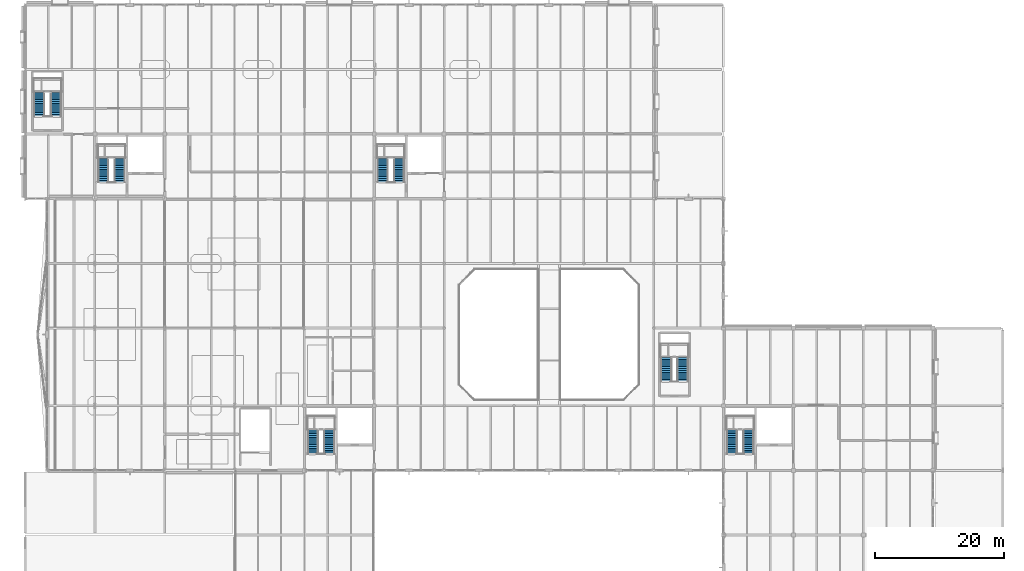
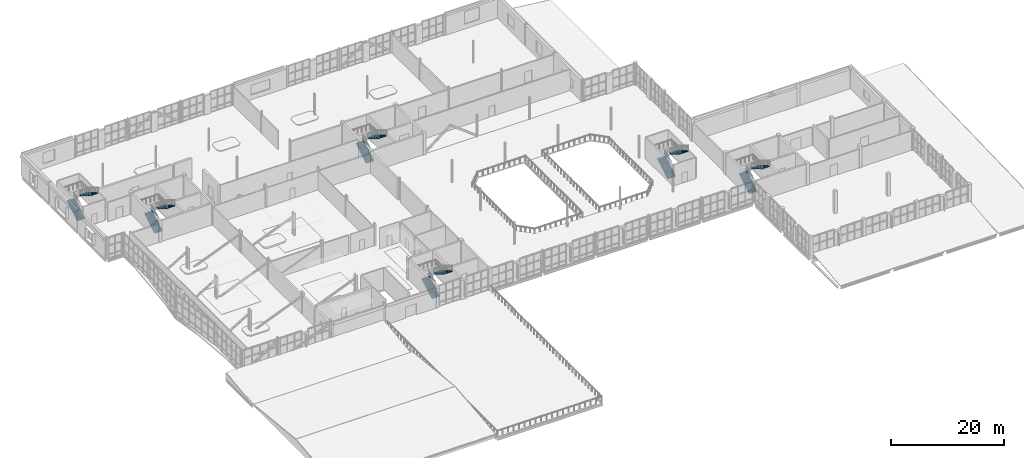
# One storey, part 90 of 100: 12 stair flights, 6 elements without a shape of their own.
"""IFC4 building model written with IfcOpenShell, lengths in metres."""

from ifc_helpers import new_model, si_unit, direction, frame, origin, place, context, subcontext, project, spatial, polyline, outline, extrude, material, type_object, element, aggregate, save


model = new_model("IFC4")

# Units and contexts
model_context = context("Model", 3, precision=1e-05, world=origin(), true_north=direction((0.0, 1.0)))
body_context = subcontext(model_context, "Body", "Model", "MODEL_VIEW")
ifc_project = project(units=[si_unit("LENGTHUNIT", "METRE"), si_unit("AREAUNIT", "SQUARE_METRE"), si_unit("VOLUMEUNIT", "CUBIC_METRE"), si_unit("PLANEANGLEUNIT", "RADIAN"), si_unit("MASSUNIT", "GRAM", prefix="KILO")], contexts=[model_context])

# Site, building, storey
site_placement = place(None, origin())
site = spatial("IfcSite", under=ifc_project, at=site_placement, CompositionType="ELEMENT")
building_placement = place(site_placement, origin())
building = spatial("IfcBuilding", under=site, at=building_placement, Name="Tasgan Crest Museum", CompositionType="ELEMENT")
storey_placement = place(building_placement, frame((0.0, 0.0, 9.60009765625)))
storey = spatial("IfcBuildingStorey", under=building, at=storey_placement, Name="L02", CompositionType="ELEMENT", Elevation=9.60009765625)

# Stair, stair flights
ifc_material_1 = material(Name="Concrete C35/45", Category="concrete")
stair_type_1 = type_object("IfcStairType", Name="ST-CORE-48", PredefinedType="HALF_TURN_STAIR", material=ifc_material_1)
stair_1_placement = place(storey_placement, origin())
stair_1 = element("IfcStair", 1, at=stair_1_placement, inside=storey, type_object=stair_type_1, Name="Stair ST-NW-L02 L02", PredefinedType="HALF_TURN_STAIR")
ifc_material_2 = material(Name="Concrete C35/45", Category="concrete")
stair_flight_type_1 = type_object("IfcStairFlightType", Name="SF-RC-1620", PredefinedType="STRAIGHT", material=ifc_material_2)
stair_flight_1_placement = place(storey_placement, frame((12.110107421875, 84.550048828125, 0.0), z_axis=(0.0, 0.0, 1.0), x_axis=(0.0, 1.0, 0.0)))
stair_flight_1 = element("IfcStairFlight", 2, at=stair_flight_1_placement, type_object=stair_flight_type_1, Name="ST-NW-L02 flight 1", NumberOfRisers=14, NumberOfTreads=13, PredefinedType="STRAIGHT", RiserHeight=0.171428571, TreadLength=0.285, context=body_context, shape_type="SweptSolid", body=[
    extrude(outline(polyline([(0.0, 0.0), (0.0, 0.17138671875), (0.284912109375, 0.17138671875), (0.284912109375, 0.3427734375), (0.570068359375, 0.3427734375), (0.570068359375, 0.514404296875), (0.85498046875, 0.514404296875), (0.85498046875, 0.685791015625), (1.139892578125, 0.685791015625), (1.139892578125, 0.857177734375), (1.425048828125, 0.857177734375), (1.425048828125, 1.028564453125), (1.7099609375, 1.028564453125), (1.7099609375, 1.199951171875), (1.9951171875, 1.199951171875), (1.9951171875, 1.371337890625), (2.280029296875, 1.371337890625), (2.280029296875, 1.54296875), (2.56494140625, 1.54296875), (2.56494140625, 1.71435546875), (2.85009765625, 1.71435546875), (2.85009765625, 1.8857421875), (3.135009765625, 1.8857421875), (3.135009765625, 2.05712890625), (3.419921875, 2.05712890625), (3.419921875, 2.228515625), (3.705078125, 2.228515625), (3.705078125, 2.39990234375), (3.705078125, 2.0537109375), (0.290771484375, 0.0), (0.0, 0.0)])), frame((0.0, 0.81005859375, 0.0), z_axis=(0.0, -1.0, 0.0), x_axis=(1.0, 0.0, 0.0)), (0.0, 0.0, 1.0), 1.6201171875),
])
stair_flight_2_placement = place(storey_placement, frame((14.639892578125, 88.2548828125, 2.39990234375), z_axis=(0.0, 0.0, 1.0), x_axis=(0.0, -1.0, 0.0)))
stair_flight_2 = element("IfcStairFlight", 3, at=stair_flight_2_placement, type_object=stair_flight_type_1, Name="ST-NW-L02 flight 2", NumberOfRisers=14, NumberOfTreads=13, PredefinedType="STRAIGHT", RiserHeight=0.171428571, TreadLength=0.285, context=body_context, shape_type="SweptSolid", body=[
    extrude(outline(polyline([(0.0, 0.0), (0.0, 0.17138671875), (0.284912109375, 0.17138671875), (0.284912109375, 0.3427734375), (0.570068359375, 0.3427734375), (0.570068359375, 0.514404296875), (0.85498046875, 0.514404296875), (0.85498046875, 0.685791015625), (1.139892578125, 0.685791015625), (1.139892578125, 0.857177734375), (1.425048828125, 0.857177734375), (1.425048828125, 1.028564453125), (1.7099609375, 1.028564453125), (1.7099609375, 1.199951171875), (1.9951171875, 1.199951171875), (1.9951171875, 1.371337890625), (2.280029296875, 1.371337890625), (2.280029296875, 1.54296875), (2.56494140625, 1.54296875), (2.56494140625, 1.71435546875), (2.85009765625, 1.71435546875), (2.85009765625, 1.8857421875), (3.135009765625, 1.8857421875), (3.135009765625, 2.05712890625), (3.419921875, 2.05712890625), (3.419921875, 2.228515625), (3.705078125, 2.228515625), (3.705078125, 2.39990234375), (3.705078125, 2.0537109375), (0.290771484375, 0.0), (0.0, 0.0)])), frame((0.0, 0.81005859375, 0.0), z_axis=(0.0, -1.0, 0.0), x_axis=(1.0, 0.0, 0.0)), (0.0, 0.0, 1.0), 1.6201171875),
])
aggregate(stair_1, [stair_flight_1, stair_flight_2])

stair_2_placement = place(storey_placement, origin())
stair_2 = element("IfcStair", 4, at=stair_2_placement, inside=storey, type_object=stair_type_1, Name="Stair ST-NC-L02 L02", PredefinedType="HALF_TURN_STAIR")
stair_flight_3_placement = place(storey_placement, frame((55.31005859375, 84.550048828125, 0.0), z_axis=(0.0, 0.0, 1.0), x_axis=(0.0, 1.0, 0.0)))
stair_flight_3 = element("IfcStairFlight", 5, at=stair_flight_3_placement, type_object=stair_flight_type_1, Name="ST-NC-L02 flight 1", NumberOfRisers=14, NumberOfTreads=13, PredefinedType="STRAIGHT", RiserHeight=0.171428571, TreadLength=0.285, context=body_context, shape_type="SweptSolid", body=[
    extrude(outline(polyline([(0.0, 0.0), (0.0, 0.17138671875), (0.284912109375, 0.17138671875), (0.284912109375, 0.3427734375), (0.570068359375, 0.3427734375), (0.570068359375, 0.514404296875), (0.85498046875, 0.514404296875), (0.85498046875, 0.685791015625), (1.139892578125, 0.685791015625), (1.139892578125, 0.857177734375), (1.425048828125, 0.857177734375), (1.425048828125, 1.028564453125), (1.7099609375, 1.028564453125), (1.7099609375, 1.199951171875), (1.9951171875, 1.199951171875), (1.9951171875, 1.371337890625), (2.280029296875, 1.371337890625), (2.280029296875, 1.54296875), (2.56494140625, 1.54296875), (2.56494140625, 1.71435546875), (2.85009765625, 1.71435546875), (2.85009765625, 1.8857421875), (3.135009765625, 1.8857421875), (3.135009765625, 2.05712890625), (3.419921875, 2.05712890625), (3.419921875, 2.228515625), (3.705078125, 2.228515625), (3.705078125, 2.39990234375), (3.705078125, 2.0537109375), (0.290771484375, 0.0), (0.0, 0.0)])), frame((0.0, 0.81005859375, 0.0), z_axis=(0.0, -1.0, 0.0), x_axis=(1.0, 0.0, 0.0)), (0.0, 0.0, 1.0), 1.6201171875),
])
stair_flight_4_placement = place(storey_placement, frame((57.840087890625, 88.2548828125, 2.39990234375), z_axis=(0.0, 0.0, 1.0), x_axis=(0.0, -1.0, 0.0)))
stair_flight_4 = element("IfcStairFlight", 6, at=stair_flight_4_placement, type_object=stair_flight_type_1, Name="ST-NC-L02 flight 2", NumberOfRisers=14, NumberOfTreads=13, PredefinedType="STRAIGHT", RiserHeight=0.171428571, TreadLength=0.285, context=body_context, shape_type="SweptSolid", body=[
    extrude(outline(polyline([(0.0, 0.0), (0.0, 0.17138671875), (0.284912109375, 0.17138671875), (0.284912109375, 0.3427734375), (0.570068359375, 0.3427734375), (0.570068359375, 0.514404296875), (0.85498046875, 0.514404296875), (0.85498046875, 0.685791015625), (1.139892578125, 0.685791015625), (1.139892578125, 0.857177734375), (1.425048828125, 0.857177734375), (1.425048828125, 1.028564453125), (1.7099609375, 1.028564453125), (1.7099609375, 1.199951171875), (1.9951171875, 1.199951171875), (1.9951171875, 1.371337890625), (2.280029296875, 1.371337890625), (2.280029296875, 1.54296875), (2.56494140625, 1.54296875), (2.56494140625, 1.71435546875), (2.85009765625, 1.71435546875), (2.85009765625, 1.8857421875), (3.135009765625, 1.8857421875), (3.135009765625, 2.05712890625), (3.419921875, 2.05712890625), (3.419921875, 2.228515625), (3.705078125, 2.228515625), (3.705078125, 2.39990234375), (3.705078125, 2.0537109375), (0.290771484375, 0.0), (0.0, 0.0)])), frame((0.0, 0.81005859375, 0.0), z_axis=(0.0, -1.0, 0.0), x_axis=(1.0, 0.0, 0.0)), (0.0, 0.0, 1.0), 1.6201171875),
])
aggregate(stair_2, [stair_flight_3, stair_flight_4])

stair_3_placement = place(storey_placement, origin())
stair_3 = element("IfcStair", 7, at=stair_3_placement, inside=storey, type_object=stair_type_1, Name="Stair ST-SE-L02 L02", PredefinedType="HALF_TURN_STAIR")
stair_flight_5_placement = place(storey_placement, frame((109.31005859375, 42.550048828125, 0.0), z_axis=(0.0, 0.0, 1.0), x_axis=(0.0, 1.0, 0.0)))
stair_flight_5 = element("IfcStairFlight", 8, at=stair_flight_5_placement, type_object=stair_flight_type_1, Name="ST-SE-L02 flight 1", NumberOfRisers=14, NumberOfTreads=13, PredefinedType="STRAIGHT", RiserHeight=0.171428571, TreadLength=0.285, context=body_context, shape_type="SweptSolid", body=[
    extrude(outline(polyline([(0.0, 0.0), (0.0, 0.17138671875), (0.284912109375, 0.17138671875), (0.284912109375, 0.3427734375), (0.570068359375, 0.3427734375), (0.570068359375, 0.514404296875), (0.85498046875, 0.514404296875), (0.85498046875, 0.685791015625), (1.139892578125, 0.685791015625), (1.139892578125, 0.857177734375), (1.425048828125, 0.857177734375), (1.425048828125, 1.028564453125), (1.7099609375, 1.028564453125), (1.7099609375, 1.199951171875), (1.9951171875, 1.199951171875), (1.9951171875, 1.371337890625), (2.280029296875, 1.371337890625), (2.280029296875, 1.54296875), (2.56494140625, 1.54296875), (2.56494140625, 1.71435546875), (2.85009765625, 1.71435546875), (2.85009765625, 1.8857421875), (3.135009765625, 1.8857421875), (3.135009765625, 2.05712890625), (3.419921875, 2.05712890625), (3.419921875, 2.228515625), (3.705078125, 2.228515625), (3.705078125, 2.39990234375), (3.705078125, 2.0537109375), (0.290771484375, 0.0), (0.0, 0.0)])), frame((0.0, 0.81005859375, 0.0), z_axis=(0.0, -1.0, 0.0), x_axis=(1.0, 0.0, 0.0)), (0.0, 0.0, 1.0), 1.6201171875),
])
stair_flight_6_placement = place(storey_placement, frame((111.840087890625, 46.2548828125, 2.39990234375), z_axis=(0.0, 0.0, 1.0), x_axis=(0.0, -1.0, 0.0)))
stair_flight_6 = element("IfcStairFlight", 9, at=stair_flight_6_placement, type_object=stair_flight_type_1, Name="ST-SE-L02 flight 2", NumberOfRisers=14, NumberOfTreads=13, PredefinedType="STRAIGHT", RiserHeight=0.171428571, TreadLength=0.285, context=body_context, shape_type="SweptSolid", body=[
    extrude(outline(polyline([(0.0, 0.0), (0.0, 0.17138671875), (0.284912109375, 0.17138671875), (0.284912109375, 0.3427734375), (0.570068359375, 0.3427734375), (0.570068359375, 0.514404296875), (0.85498046875, 0.514404296875), (0.85498046875, 0.685791015625), (1.139892578125, 0.685791015625), (1.139892578125, 0.857177734375), (1.425048828125, 0.857177734375), (1.425048828125, 1.028564453125), (1.7099609375, 1.028564453125), (1.7099609375, 1.199951171875), (1.9951171875, 1.199951171875), (1.9951171875, 1.371337890625), (2.280029296875, 1.371337890625), (2.280029296875, 1.54296875), (2.56494140625, 1.54296875), (2.56494140625, 1.71435546875), (2.85009765625, 1.71435546875), (2.85009765625, 1.8857421875), (3.135009765625, 1.8857421875), (3.135009765625, 2.05712890625), (3.419921875, 2.05712890625), (3.419921875, 2.228515625), (3.705078125, 2.228515625), (3.705078125, 2.39990234375), (3.705078125, 2.0537109375), (0.290771484375, 0.0), (0.0, 0.0)])), frame((0.0, 0.81005859375, 0.0), z_axis=(0.0, -1.0, 0.0), x_axis=(1.0, 0.0, 0.0)), (0.0, 0.0, 1.0), 1.6201171875),
])
aggregate(stair_3, [stair_flight_5, stair_flight_6])

stair_4_placement = place(storey_placement, origin())
stair_4 = element("IfcStair", 10, at=stair_4_placement, inside=storey, type_object=stair_type_1, Name="Stair ST-SW-L02 L02", PredefinedType="HALF_TURN_STAIR")
stair_flight_7_placement = place(storey_placement, frame((44.510009765625, 42.550048828125, 0.0), z_axis=(0.0, 0.0, 1.0), x_axis=(0.0, 1.0, 0.0)))
stair_flight_7 = element("IfcStairFlight", 11, at=stair_flight_7_placement, type_object=stair_flight_type_1, Name="ST-SW-L02 flight 1", NumberOfRisers=14, NumberOfTreads=13, PredefinedType="STRAIGHT", RiserHeight=0.171428571, TreadLength=0.285, context=body_context, shape_type="SweptSolid", body=[
    extrude(outline(polyline([(0.0, 0.0), (0.0, 0.17138671875), (0.284912109375, 0.17138671875), (0.284912109375, 0.3427734375), (0.570068359375, 0.3427734375), (0.570068359375, 0.514404296875), (0.85498046875, 0.514404296875), (0.85498046875, 0.685791015625), (1.139892578125, 0.685791015625), (1.139892578125, 0.857177734375), (1.425048828125, 0.857177734375), (1.425048828125, 1.028564453125), (1.7099609375, 1.028564453125), (1.7099609375, 1.199951171875), (1.9951171875, 1.199951171875), (1.9951171875, 1.371337890625), (2.280029296875, 1.371337890625), (2.280029296875, 1.54296875), (2.56494140625, 1.54296875), (2.56494140625, 1.71435546875), (2.85009765625, 1.71435546875), (2.85009765625, 1.8857421875), (3.135009765625, 1.8857421875), (3.135009765625, 2.05712890625), (3.419921875, 2.05712890625), (3.419921875, 2.228515625), (3.705078125, 2.228515625), (3.705078125, 2.39990234375), (3.705078125, 2.0537109375), (0.290771484375, 0.0), (0.0, 0.0)])), frame((0.0, 0.81005859375, 0.0), z_axis=(0.0, -1.0, 0.0), x_axis=(1.0, 0.0, 0.0)), (0.0, 0.0, 1.0), 1.6201171875),
])
stair_flight_8_placement = place(storey_placement, frame((47.0400390625, 46.2548828125, 2.39990234375), z_axis=(0.0, 0.0, 1.0), x_axis=(0.0, -1.0, 0.0)))
stair_flight_8 = element("IfcStairFlight", 12, at=stair_flight_8_placement, type_object=stair_flight_type_1, Name="ST-SW-L02 flight 2", NumberOfRisers=14, NumberOfTreads=13, PredefinedType="STRAIGHT", RiserHeight=0.171428571, TreadLength=0.285, context=body_context, shape_type="SweptSolid", body=[
    extrude(outline(polyline([(0.0, 0.0), (0.0, 0.17138671875), (0.284912109375, 0.17138671875), (0.284912109375, 0.3427734375), (0.570068359375, 0.3427734375), (0.570068359375, 0.514404296875), (0.85498046875, 0.514404296875), (0.85498046875, 0.685791015625), (1.139892578125, 0.685791015625), (1.139892578125, 0.857177734375), (1.425048828125, 0.857177734375), (1.425048828125, 1.028564453125), (1.7099609375, 1.028564453125), (1.7099609375, 1.199951171875), (1.9951171875, 1.199951171875), (1.9951171875, 1.371337890625), (2.280029296875, 1.371337890625), (2.280029296875, 1.54296875), (2.56494140625, 1.54296875), (2.56494140625, 1.71435546875), (2.85009765625, 1.71435546875), (2.85009765625, 1.8857421875), (3.135009765625, 1.8857421875), (3.135009765625, 2.05712890625), (3.419921875, 2.05712890625), (3.419921875, 2.228515625), (3.705078125, 2.228515625), (3.705078125, 2.39990234375), (3.705078125, 2.0537109375), (0.290771484375, 0.0), (0.0, 0.0)])), frame((0.0, 0.81005859375, 0.0), z_axis=(0.0, -1.0, 0.0), x_axis=(1.0, 0.0, 0.0)), (0.0, 0.0, 1.0), 1.6201171875),
])
aggregate(stair_4, [stair_flight_7, stair_flight_8])

stair_5_placement = place(storey_placement, origin())
stair_5 = element("IfcStair", 13, at=stair_5_placement, inside=storey, type_object=stair_type_1, Name="Stair ST-GW-L02 L02", PredefinedType="HALF_TURN_STAIR")
stair_flight_9_placement = place(storey_placement, frame((2.18994140625, 94.75, 0.0), z_axis=(0.0, 0.0, 1.0), x_axis=(0.0, 1.0, 0.0)))
stair_flight_9 = element("IfcStairFlight", 14, at=stair_flight_9_placement, type_object=stair_flight_type_1, Name="ST-GW-L02 flight 1", NumberOfRisers=14, NumberOfTreads=13, PredefinedType="STRAIGHT", RiserHeight=0.171428571, TreadLength=0.285, context=body_context, shape_type="SweptSolid", body=[
    extrude(outline(polyline([(0.0, 0.0), (0.0, 0.17138671875), (0.284912109375, 0.17138671875), (0.284912109375, 0.3427734375), (0.570068359375, 0.3427734375), (0.570068359375, 0.514404296875), (0.85498046875, 0.514404296875), (0.85498046875, 0.685791015625), (1.139892578125, 0.685791015625), (1.139892578125, 0.857177734375), (1.425048828125, 0.857177734375), (1.425048828125, 1.028564453125), (1.7099609375, 1.028564453125), (1.7099609375, 1.199951171875), (1.9951171875, 1.199951171875), (1.9951171875, 1.371337890625), (2.280029296875, 1.371337890625), (2.280029296875, 1.54296875), (2.56494140625, 1.54296875), (2.56494140625, 1.71435546875), (2.85009765625, 1.71435546875), (2.85009765625, 1.8857421875), (3.135009765625, 1.8857421875), (3.135009765625, 2.05712890625), (3.419921875, 2.05712890625), (3.419921875, 2.228515625), (3.705078125, 2.228515625), (3.705078125, 2.39990234375), (3.705078125, 2.0537109375), (0.290771484375, 0.0), (0.0, 0.0)])), frame((0.0, 0.81005859375, 0.0), z_axis=(0.0, -1.0, 0.0), x_axis=(1.0, 0.0, 0.0)), (0.0, 0.0, 1.0), 1.6201171875),
])
stair_flight_10_placement = place(storey_placement, frame((4.81005859375, 98.455078125, 2.39990234375), z_axis=(0.0, 0.0, 1.0), x_axis=(0.0, -1.0, 0.0)))
stair_flight_10 = element("IfcStairFlight", 15, at=stair_flight_10_placement, type_object=stair_flight_type_1, Name="ST-GW-L02 flight 2", NumberOfRisers=14, NumberOfTreads=13, PredefinedType="STRAIGHT", RiserHeight=0.171428571, TreadLength=0.285, context=body_context, shape_type="SweptSolid", body=[
    extrude(outline(polyline([(0.0, 0.0), (0.0, 0.17138671875), (0.284912109375, 0.17138671875), (0.284912109375, 0.3427734375), (0.570068359375, 0.3427734375), (0.570068359375, 0.514404296875), (0.85498046875, 0.514404296875), (0.85498046875, 0.685791015625), (1.139892578125, 0.685791015625), (1.139892578125, 0.857177734375), (1.425048828125, 0.857177734375), (1.425048828125, 1.028564453125), (1.7099609375, 1.028564453125), (1.7099609375, 1.199951171875), (1.9951171875, 1.199951171875), (1.9951171875, 1.371337890625), (2.280029296875, 1.371337890625), (2.280029296875, 1.54296875), (2.56494140625, 1.54296875), (2.56494140625, 1.71435546875), (2.85009765625, 1.71435546875), (2.85009765625, 1.8857421875), (3.135009765625, 1.8857421875), (3.135009765625, 2.05712890625), (3.419921875, 2.05712890625), (3.419921875, 2.228515625), (3.705078125, 2.228515625), (3.705078125, 2.39990234375), (3.705078125, 2.0537109375), (0.290771484375, 0.0), (0.0, 0.0)])), frame((0.0, 0.81005859375, 0.0), z_axis=(0.0, -1.0, 0.0), x_axis=(1.0, 0.0, 0.0)), (0.0, 0.0, 1.0), 1.6201171875),
])
aggregate(stair_5, [stair_flight_9, stair_flight_10])

ifc_material_3 = material(Name="Steel S355J2", Category="steel")
stair_type_2 = type_object("IfcStairType", Name="ST-FEAT-48", PredefinedType="HALF_TURN_STAIR", material=ifc_material_3)
stair_6_placement = place(storey_placement, origin())
stair_6 = element("IfcStair", 16, at=stair_6_placement, inside=storey, type_object=stair_type_2, Name="Stair ST-AT-L02 L02", PredefinedType="HALF_TURN_STAIR")
ifc_material_4 = material(Name="Steel S355J2", Category="steel")
stair_flight_type_2 = type_object("IfcStairFlightType", Name="SF-STL-1700", PredefinedType="STRAIGHT", material=ifc_material_4)
stair_flight_11_placement = place(storey_placement, frame((99.1298828125, 53.75, 0.0), z_axis=(0.0, 0.0, 1.0), x_axis=(0.0, 1.0, 0.0)))
stair_flight_11 = element("IfcStairFlight", 17, at=stair_flight_11_placement, type_object=stair_flight_type_2, Name="ST-AT-L02 flight 1", NumberOfRisers=14, NumberOfTreads=13, PredefinedType="STRAIGHT", RiserHeight=0.171428571, TreadLength=0.285, context=body_context, shape_type="SweptSolid", body=[
    extrude(outline(polyline([(0.0, 0.0), (0.0, 0.17138671875), (0.284912109375, 0.17138671875), (0.284912109375, 0.3427734375), (0.570068359375, 0.3427734375), (0.570068359375, 0.514404296875), (0.85498046875, 0.514404296875), (0.85498046875, 0.685791015625), (1.139892578125, 0.685791015625), (1.139892578125, 0.857177734375), (1.425048828125, 0.857177734375), (1.425048828125, 1.028564453125), (1.7099609375, 1.028564453125), (1.7099609375, 1.199951171875), (1.9951171875, 1.199951171875), (1.9951171875, 1.371337890625), (2.280029296875, 1.371337890625), (2.280029296875, 1.54296875), (2.56494140625, 1.54296875), (2.56494140625, 1.71435546875), (2.85009765625, 1.71435546875), (2.85009765625, 1.8857421875), (3.135009765625, 1.8857421875), (3.135009765625, 2.05712890625), (3.419921875, 2.05712890625), (3.419921875, 2.228515625), (3.705078125, 2.228515625), (3.705078125, 2.39990234375), (3.705078125, 2.0537109375), (0.290771484375, 0.0), (0.0, 0.0)])), frame((0.0, 0.85009765625, 0.0), z_axis=(0.0, -1.0, 0.0), x_axis=(1.0, 0.0, 0.0)), (0.0, 0.0, 1.0), 1.699951171875),
])
stair_flight_12_placement = place(storey_placement, frame((101.669921875, 57.455078125, 2.39990234375), z_axis=(0.0, 0.0, 1.0), x_axis=(0.0, -1.0, 0.0)))
stair_flight_12 = element("IfcStairFlight", 18, at=stair_flight_12_placement, type_object=stair_flight_type_2, Name="ST-AT-L02 flight 2", NumberOfRisers=14, NumberOfTreads=13, PredefinedType="STRAIGHT", RiserHeight=0.171428571, TreadLength=0.285, context=body_context, shape_type="SweptSolid", body=[
    extrude(outline(polyline([(0.0, 0.0), (0.0, 0.17138671875), (0.284912109375, 0.17138671875), (0.284912109375, 0.3427734375), (0.570068359375, 0.3427734375), (0.570068359375, 0.514404296875), (0.85498046875, 0.514404296875), (0.85498046875, 0.685791015625), (1.139892578125, 0.685791015625), (1.139892578125, 0.857177734375), (1.425048828125, 0.857177734375), (1.425048828125, 1.028564453125), (1.7099609375, 1.028564453125), (1.7099609375, 1.199951171875), (1.9951171875, 1.199951171875), (1.9951171875, 1.371337890625), (2.280029296875, 1.371337890625), (2.280029296875, 1.54296875), (2.56494140625, 1.54296875), (2.56494140625, 1.71435546875), (2.85009765625, 1.71435546875), (2.85009765625, 1.8857421875), (3.135009765625, 1.8857421875), (3.135009765625, 2.05712890625), (3.419921875, 2.05712890625), (3.419921875, 2.228515625), (3.705078125, 2.228515625), (3.705078125, 2.39990234375), (3.705078125, 2.0537109375), (0.290771484375, 0.0), (0.0, 0.0)])), frame((0.0, 0.85009765625, 0.0), z_axis=(0.0, -1.0, 0.0), x_axis=(1.0, 0.0, 0.0)), (0.0, 0.0, 1.0), 1.699951171875),
])
aggregate(stair_6, [stair_flight_11, stair_flight_12])

save(model, "model.ifc")
